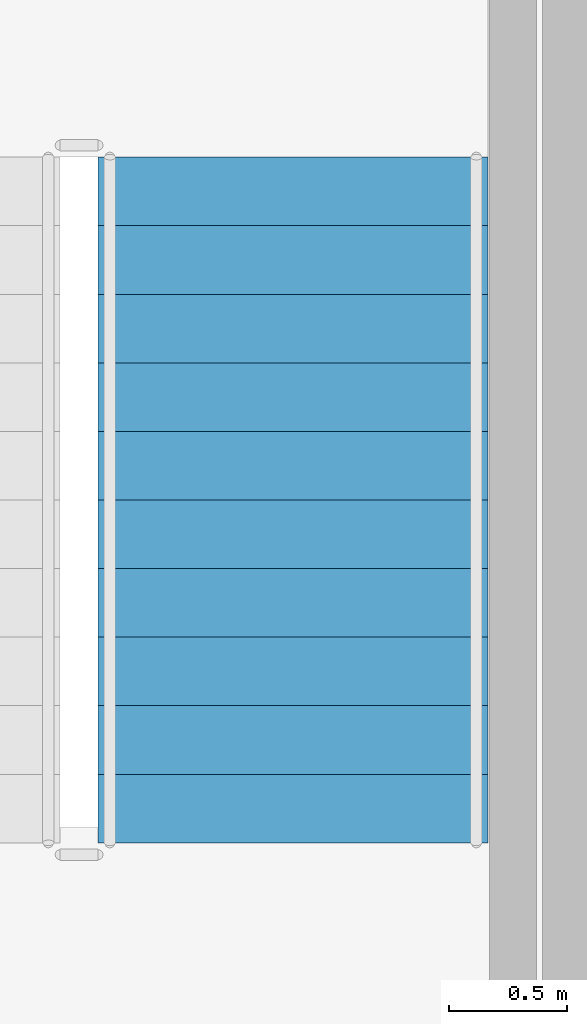
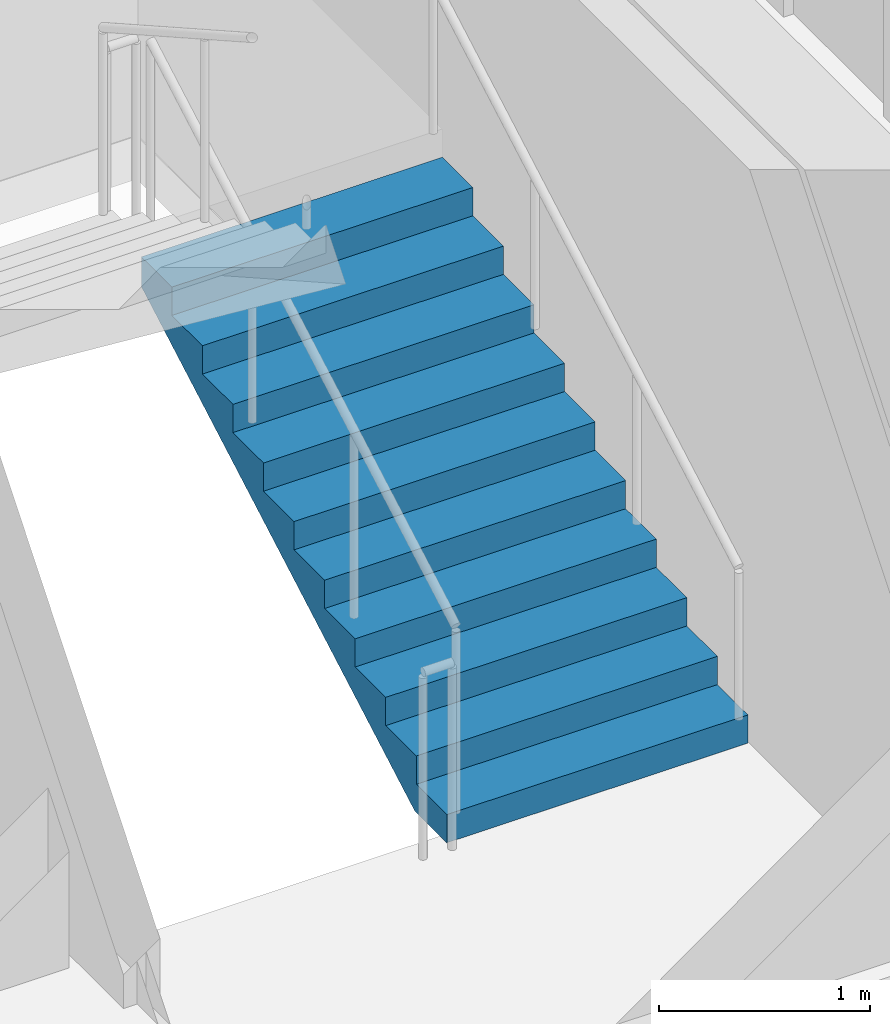
# One storey, part 7 of 8: 1 stair flight, 1 element without a shape of its own.
"""IFC4 building model written with IfcOpenShell, lengths in metres."""

from ifc_helpers import new_model, si_unit, direction, frame, origin, place, context, subcontext, project, spatial, polyline, outline, extrude, material, type_object, element, aggregate, save


model = new_model("IFC4")

# Units and contexts
model_context = context("Model", 3, precision=1e-05, world=origin(), true_north=direction((0.0, 1.0)))
body_context = subcontext(model_context, "Body", "Model", "MODEL_VIEW")
ifc_project = project(units=[si_unit("LENGTHUNIT", "METRE"), si_unit("AREAUNIT", "SQUARE_METRE"), si_unit("VOLUMEUNIT", "CUBIC_METRE"), si_unit("PLANEANGLEUNIT", "RADIAN"), si_unit("MASSUNIT", "GRAM", prefix="KILO")], contexts=[model_context])

# Site, building, storey
site_placement = place(None, origin())
site = spatial("IfcSite", under=ifc_project, at=site_placement, CompositionType="ELEMENT")
building_placement = place(site_placement, origin())
building = spatial("IfcBuilding", under=site, at=building_placement, Name="Karkom Vertical University and Central Library", CompositionType="ELEMENT")
storey_placement = place(building_placement, frame((0.0, 0.0, 84.10009765625)))
storey = spatial("IfcBuildingStorey", under=building, at=storey_placement, Name="L22", CompositionType="ELEMENT", Elevation=84.10009765625)

# Stair, stair flight
ifc_material = material(Name="Concrete C45/55", Category="concrete")
stair_type = type_object("IfcStairType", Name="INT-STR-ST-MAIN", PredefinedType="HALF_TURN_STAIR", material=ifc_material)
stair_placement = place(storey_placement, origin())
stair = element("IfcStair", 1, at=stair_placement, inside=storey, type_object=stair_type, Name="Level 22 Tower Protected Exit Stair ST-2", PredefinedType="HALF_TURN_STAIR")
stair_flight_type = type_object("IfcStairFlightType", Name="INT-SFL-ST-MAIN", PredefinedType="STRAIGHT", material=ifc_material)
stair_flight_placement = place(storey_placement, frame((36.195068359375, 23.02001953125, 0.0), z_axis=(0.0, 0.0, 1.0), x_axis=(0.0, 1.0, 0.0)))
stair_flight = element("IfcStairFlight", 2, at=stair_flight_placement, type_object=stair_flight_type, Name="ST-2 flight 1", NumberOfRisers=11, NumberOfTreads=10, PredefinedType="STRAIGHT", RiserHeight=0.163636364, TreadLength=0.29, context=body_context, shape_type="SweptSolid", body=[
    extrude(outline(polyline([(0.0, 0.0), (0.0, 0.16357421875), (0.2900390625, 0.16357421875), (0.2900390625, 0.327392578125), (0.580078125, 0.327392578125), (0.580078125, 0.490966796875), (0.8701171875, 0.490966796875), (0.8701171875, 0.654541015625), (1.159912109375, 0.654541015625), (1.159912109375, 0.818115234375), (1.449951171875, 0.818115234375), (1.449951171875, 0.98193359375), (1.739990234375, 0.98193359375), (1.739990234375, 1.1455078125), (2.030029296875, 1.1455078125), (2.030029296875, 1.30908203125), (2.320068359375, 1.30908203125), (2.320068359375, 1.47265625), (2.610107421875, 1.47265625), (2.610107421875, 1.636474609375), (2.89990234375, 1.636474609375), (2.89990234375, 1.800048828125), (2.89990234375, 1.46435546875), (0.304931640625, 0.0), (0.0, 0.0)])), frame((0.0, 0.824951171875, 0.0), z_axis=(0.0, -1.0, 0.0), x_axis=(1.0, 0.0, 0.0)), (0.0, 0.0, 1.0), 1.64990234375),
])
aggregate(stair, [stair_flight])

save(model, "model.ifc")
